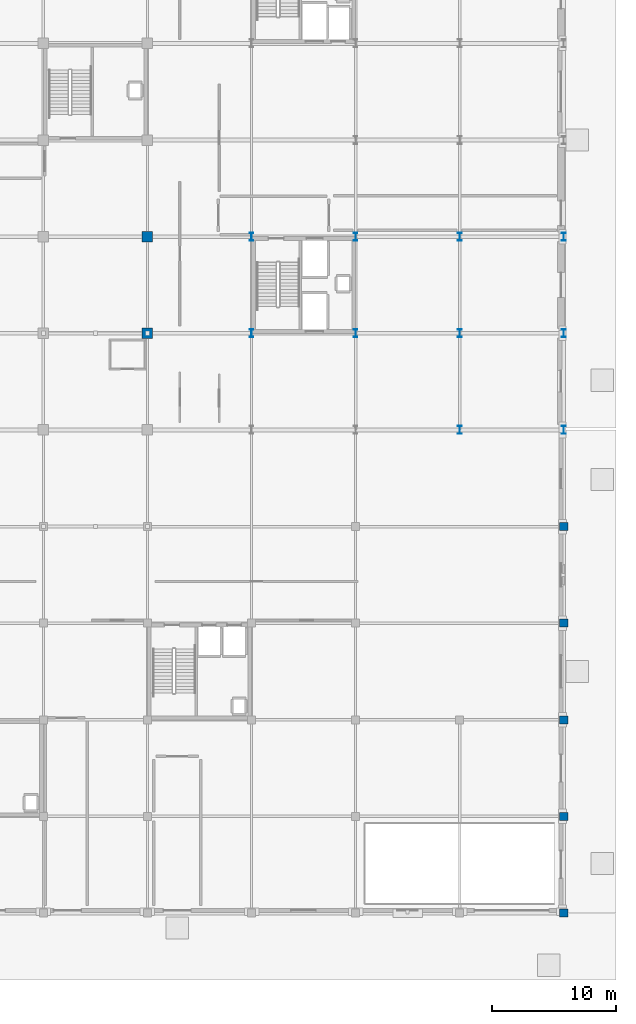
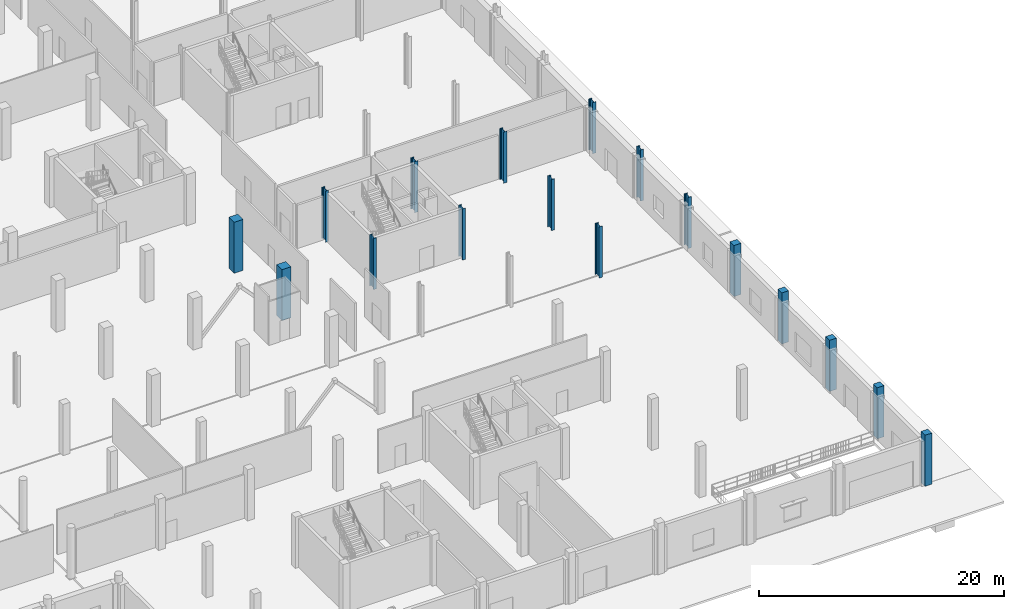
# One storey, part 14 of 80: 17 columns.
"""IFC4 building model written with IfcOpenShell, lengths in metres."""

from ifc_helpers import new_model, si_unit, direction, frame, origin, origin_2d, place, context, subcontext, project, spatial, rectangle, i_section, extrude, material, material_profile, profile_set, type_object, element, save


model = new_model("IFC4")

# Units and contexts
model_context = context("Model", 3, precision=1e-05, world=origin(), true_north=direction((0.0, 1.0)))
body_context = subcontext(model_context, "Body", "Model", "MODEL_VIEW")
ifc_project = project(units=[si_unit("LENGTHUNIT", "METRE"), si_unit("AREAUNIT", "SQUARE_METRE"), si_unit("VOLUMEUNIT", "CUBIC_METRE"), si_unit("PLANEANGLEUNIT", "RADIAN"), si_unit("MASSUNIT", "GRAM", prefix="KILO")], contexts=[model_context])

# Site, building, storey
site_placement = place(None, origin())
site = spatial("IfcSite", under=ifc_project, at=site_placement, CompositionType="ELEMENT")
building_placement = place(site_placement, origin())
building = spatial("IfcBuilding", under=site, at=building_placement, Name="Nabrawat Pavilion Hospital", CompositionType="ELEMENT")
storey_placement = place(building_placement, origin())
storey = spatial("IfcBuildingStorey", under=building, at=storey_placement, Name="L00", CompositionType="ELEMENT", Elevation=0.0)

# Columns
ifc_material_1 = material(Name="Steel S355", Category="steel")
ifc_material_profile_1 = material_profile(ifc_material_1, i_section(OverallWidth=0.300048828125, OverallDepth=0.64990234375, WebThickness=0.01611328125, FlangeThickness=0.031005859375, FilletRadius=0.027099609375, at=origin_2d()), Name="HEB 650")
ifc_profile_set_1 = profile_set([ifc_material_profile_1], Name="Steel S355")
column_type_1 = type_object("IfcColumnType", Name="Heavy Composite Steel Column HEB 650", PredefinedType="COLUMN", material=ifc_profile_set_1)
for number, where, z_axis, x_axis, name in (
    (1, (168.0, 46.800048828125, 0.0), (0.0, 0.0, 1.0), (1.0, 0.0, 0.0), "L00 Structural Column G-21-G"),
    (2, (168.0, 54.60009765625, 0.0), (0.0, 0.0, 1.0), (1.0, 0.0, 0.0), "L00 Structural Column G-21-H"),
    (3, (176.39990234375, 46.800048828125, 0.0), (0.0, 0.0, 1.0), (1.0, 0.0, 0.0), "L00 Structural Column G-22-G"),
    (4, (176.39990234375, 54.60009765625, 0.0), (0.0, 0.0, 1.0), (1.0, 0.0, 0.0), "L00 Structural Column G-22-H"),
    (5, (184.800048828125, 39.0, 0.0), (0.0, 0.0, 1.0), (1.0, 0.0, 0.0), "L00 Structural Column G-23-F1"),
    (6, (184.800048828125, 46.800048828125, 0.0), (0.0, 0.0, 1.0), (1.0, 0.0, 0.0), "L00 Structural Column G-23-G"),
    (7, (184.800048828125, 54.60009765625, 0.0), (0.0, 0.0, 1.0), (1.0, 0.0, 0.0), "L00 Structural Column G-23-H"),
    (8, (193.199951171875, 39.0, 0.0), (0.0, 0.0, 1.0), (1.0, 0.0, 0.0), "L00 Structural Column G-24-F1"),
    (9, (193.199951171875, 46.800048828125, 0.0), (0.0, 0.0, 1.0), (1.0, 0.0, 0.0), "L00 Structural Column G-24-G"),
    (10, (193.199951171875, 54.60009765625, 0.0), (0.0, 0.0, 1.0), (1.0, 0.0, 0.0), "L00 Structural Column G-24-H"),
):
    element("IfcColumn", number, at=place(storey_placement, frame(where, z_axis=z_axis, x_axis=x_axis)), inside=storey, type_object=column_type_1, Name=name, PredefinedType="COLUMN", context=body_context, shape_type="SweptSolid", body=[
        extrude(i_section(OverallWidth=0.300048828125, OverallDepth=0.64990234375, WebThickness=0.01611328125, FlangeThickness=0.031005859375, FilletRadius=0.027099609375, at=origin_2d()), origin(), (0.0, 0.0, 1.0), 5.10009765625),
    ])
ifc_material_2 = material(Name="Concrete C40/50", Category="concrete")
ifc_material_profile_2 = material_profile(ifc_material_2, rectangle(XDim=0.85009765625, YDim=0.85009765625, at=origin_2d()), Name="RC 850x850")
ifc_profile_set_2 = profile_set([ifc_material_profile_2], Name="Concrete C40/50")
column_type_2 = type_object("IfcColumnType", Name="Lower Ward RC Column 850x850", PredefinedType="COLUMN", material=ifc_profile_set_2)
for number, where, z_axis, x_axis, name in (
    (11, (159.60009765625, 46.800048828125, 0.0), (0.0, 0.0, 1.0), (1.0, 0.0, 0.0), "L00 Structural Column G-20-G"),
    (12, (159.60009765625, 54.60009765625, 0.0), (0.0, 0.0, 1.0), (1.0, 0.0, 0.0), "L00 Structural Column G-20-H"),
):
    element("IfcColumn", number, at=place(storey_placement, frame(where, z_axis=z_axis, x_axis=x_axis)), inside=storey, type_object=column_type_2, Name=name, PredefinedType="COLUMN", context=body_context, shape_type="SweptSolid", body=[
        extrude(rectangle(XDim=0.85009765625, YDim=0.85009765625, at=origin_2d()), origin(), (0.0, 0.0, 1.0), 5.10009765625),
    ])
ifc_material_profile_3 = material_profile(ifc_material_2, rectangle(XDim=0.64990234375, YDim=0.64990234375, at=origin_2d()), Name="RC 650x650")
ifc_profile_set_3 = profile_set([ifc_material_profile_3], Name="Concrete C40/50")
column_type_3 = type_object("IfcColumnType", Name="Outpatient RC Column 650x650", PredefinedType="COLUMN", material=ifc_profile_set_3)
for number, where, z_axis, x_axis, name in (
    (13, (193.199951171875, 0.0, 0.0), (0.0, 0.0, 1.0), (1.0, 0.0, 0.0), "L00 Structural Column G-24-A"),
    (14, (193.199951171875, 7.800048828125, 0.0), (0.0, 0.0, 1.0), (1.0, 0.0, 0.0), "L00 Structural Column G-24-B"),
    (15, (193.199951171875, 15.60009765625, 0.0), (0.0, 0.0, 1.0), (1.0, 0.0, 0.0), "L00 Structural Column G-24-C"),
    (16, (193.199951171875, 23.39990234375, 0.0), (0.0, 0.0, 1.0), (1.0, 0.0, 0.0), "L00 Structural Column G-24-D"),
    (17, (193.199951171875, 31.199951171875, 0.0), (0.0, 0.0, 1.0), (1.0, 0.0, 0.0), "L00 Structural Column G-24-E"),
):
    element("IfcColumn", number, at=place(storey_placement, frame(where, z_axis=z_axis, x_axis=x_axis)), inside=storey, type_object=column_type_3, Name=name, PredefinedType="COLUMN", context=body_context, shape_type="SweptSolid", body=[
        extrude(rectangle(XDim=0.64990234375, YDim=0.64990234375, at=origin_2d()), origin(), (0.0, 0.0, 1.0), 5.10009765625),
    ])

save(model, "model.ifc")
